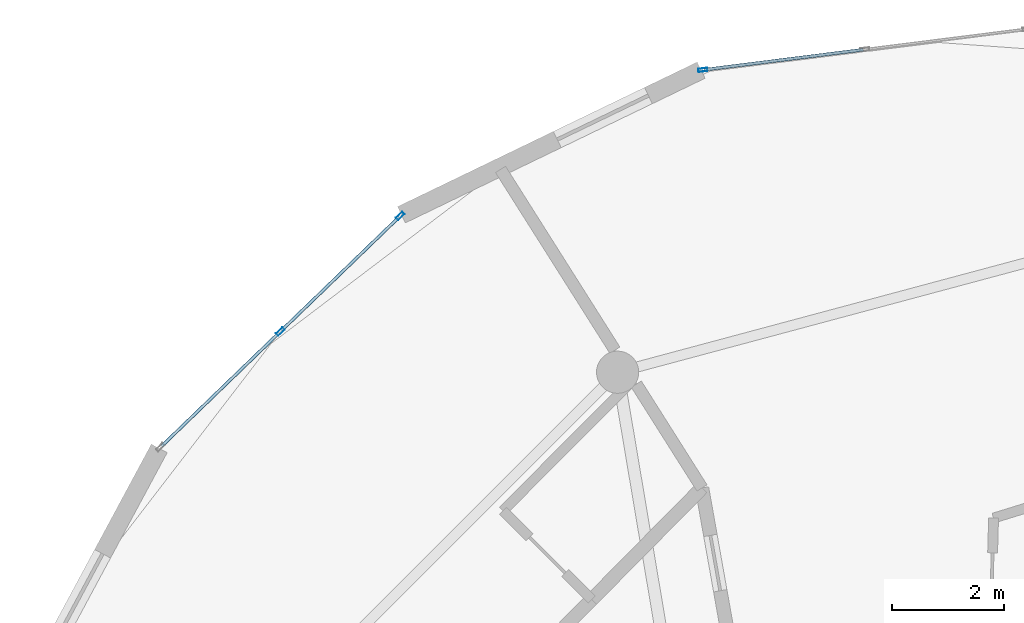
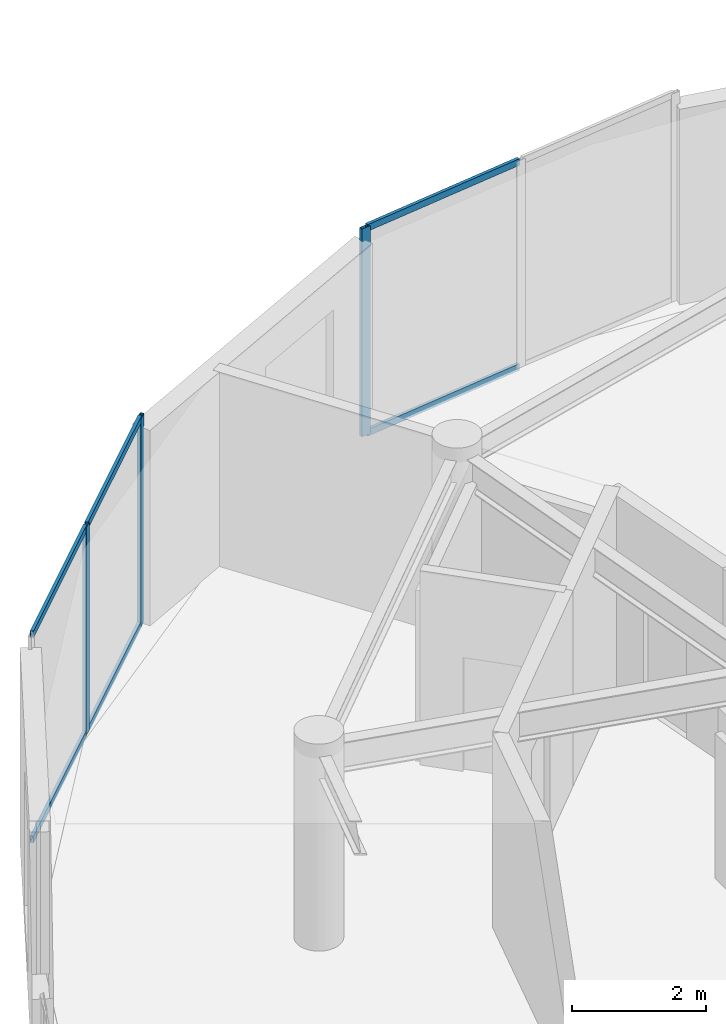
# One storey, part 13 of 23: 9 members, 2 elements without a shape of their own.
"""IFC4 building model written with IfcOpenShell, lengths in metres."""

from ifc_helpers import new_model, si_unit, direction, frame, origin, origin_2d, place, context, subcontext, project, spatial, hollow_rectangle, extrude, source, transform, mapped, material, layer, layer_set, material_profile, profile_set, type_object, element, aggregate, save


model = new_model("IFC4")

# Units and contexts
model_context = context("Model", 3, precision=1e-05, world=origin(), true_north=direction((0.0, 1.0)))
body_context = subcontext(model_context, "Body", "Model", "MODEL_VIEW")
ifc_project = project(units=[si_unit("LENGTHUNIT", "METRE"), si_unit("AREAUNIT", "SQUARE_METRE"), si_unit("VOLUMEUNIT", "CUBIC_METRE"), si_unit("PLANEANGLEUNIT", "RADIAN"), si_unit("MASSUNIT", "GRAM", prefix="KILO")], contexts=[model_context])

# Site, building, storey
site_placement = place(None, origin())
site = spatial("IfcSite", under=ifc_project, at=site_placement, CompositionType="ELEMENT")
building_placement = place(site_placement, origin())
building = spatial("IfcBuilding", under=site, at=building_placement, Name="Solvirekh Grand Hotel", CompositionType="ELEMENT")
storey_placement = place(building_placement, frame((0.0, 0.0, 285.800048828125)))
storey = spatial("IfcBuildingStorey", under=building, at=storey_placement, Name="L74", CompositionType="ELEMENT", Elevation=285.800048828125)

# Curtain wall, member
ifc_material = material(Name="Anodized Bronze Aluminium 6063-T6", Category="aluminium")
ifc_layer = layer(ifc_material, 0.159912109375)
ifc_layer_set = layer_set([ifc_layer], Name="Anodized Bronze Aluminium 6063-T6")
curtain_wall_type = type_object("IfcCurtainWallType", Name="CW_Sys4_HighZoneFlushBronzeCW", PredefinedType="NOTDEFINED", material=ifc_layer_set)
curtain_wall_1_placement = place(storey_placement, origin())
curtain_wall_1 = element("IfcCurtainWall", 1, at=curtain_wall_1_placement, inside=storey, type_object=curtain_wall_type, Name="L74 unitised bronze-glass curtain wall CW-L74-C11", PredefinedType="NOTDEFINED")
ifc_material_profile_1 = material_profile(ifc_material, hollow_rectangle(XDim=0.06005859375, YDim=0.159912109375, WallThickness=0.0048828125, at=origin_2d()), Name="ALU RHS 160X60X5")
ifc_profile_set_1 = profile_set([ifc_material_profile_1], Name="Anodized Bronze Aluminium 6063-T6")
member_type_1 = type_object("IfcMemberType", Name="CWMullion_Sys4", PredefinedType="MULLION", material=ifc_profile_set_1)
shared_shape_1 = source(origin(), body_context, "Body", "SweptSolid", [
    extrude(hollow_rectangle(XDim=0.06005859375, YDim=0.159912109375, WallThickness=0.0048828125, at=origin_2d()), origin(), (0.0, 0.0, 1.0), 3.800048828125),
])
member_1_placement = place(storey_placement, frame((-6.211181640625, 18.754638671875, 0.0), z_axis=(0.0, 0.0, 1.0), x_axis=(0.125166457357, -0.992135755808, 0.0)))
member_1 = element("IfcMember", 2, at=member_1_placement, type_object=member_type_1, Name="U04 mullion 3", PredefinedType="MULLION", context=body_context, shape_type="MappedRepresentation", body=[
    mapped(shared_shape_1, transform((0.0, 0.0, 0.0), x_axis=(1.0, 0.0, 0.0), y_axis=(0.0, 1.0, 0.0), z_axis=(0.0, 0.0, 1.0), scale=1.0)),
])

# Curtain wall, members
curtain_wall_2_placement = place(storey_placement, origin())
curtain_wall_2 = element("IfcCurtainWall", 3, at=curtain_wall_2_placement, inside=storey, type_object=curtain_wall_type, Name="L74 unitised bronze-glass curtain wall CW-L74-C13", PredefinedType="NOTDEFINED")
member_2_placement = place(storey_placement, frame((-11.590576171875, 16.1591796875, 0.0), z_axis=(0.0, 0.0, 1.0), x_axis=(0.694293264644, -0.719692199951, 0.0)))
member_2 = element("IfcMember", 4, at=member_2_placement, type_object=member_type_1, Name="U04 mullion 1", PredefinedType="MULLION", context=body_context, shape_type="MappedRepresentation", body=[
    mapped(shared_shape_1, transform((0.0, 0.0, 0.0), x_axis=(1.0, 0.0, 0.0), y_axis=(0.0, 1.0, 0.0), z_axis=(0.0, 0.0, 1.0), scale=1.0)),
])
member_3_placement = place(storey_placement, frame((-13.722412109375, 14.1025390625, 0.0), z_axis=(0.0, 0.0, 1.0), x_axis=(0.694293264644, -0.719692199951, 0.0)))
member_3 = element("IfcMember", 5, at=member_3_placement, type_object=member_type_1, Name="U04 mullion 2", PredefinedType="MULLION", context=body_context, shape_type="MappedRepresentation", body=[
    mapped(shared_shape_1, transform((0.0, 0.0, 0.0), x_axis=(1.0, 0.0, 0.0), y_axis=(0.0, 1.0, 0.0), z_axis=(0.0, 0.0, 1.0), scale=1.0)),
])
ifc_material_profile_2 = material_profile(ifc_material, hollow_rectangle(XDim=0.054931640625, YDim=0.1201171875, WallThickness=0.00390625, at=origin_2d()), Name="ALU RHS 120X55X4")
ifc_profile_set_2 = profile_set([ifc_material_profile_2], Name="Anodized Bronze Aluminium 6063-T6")
member_type_2 = type_object("IfcMemberType", Name="CWTransom_Sys4", PredefinedType="USERDEFINED", material=ifc_profile_set_2)
shared_shape_2 = source(origin(), body_context, "Body", "SweptSolid", [
    extrude(hollow_rectangle(XDim=0.054931640625, YDim=0.1201171875, WallThickness=0.00390625, at=origin_2d()), origin(), (0.0, 0.0, 1.0), 2.90234375),
])
member_4_placement = place(storey_placement, frame((-11.612060546875, 16.138427734375, 0.02734375), z_axis=(-0.719694171209, -0.694291221267, 0.0), x_axis=(0.694291221267, -0.719694171209, 0.0)))
member_4 = element("IfcMember", 6, at=member_4_placement, type_object=member_type_2, Name="U04 transom 1.1", ObjectType="TRANSOM", PredefinedType="USERDEFINED", context=body_context, shape_type="MappedRepresentation", body=[
    mapped(shared_shape_2, transform((0.0, 0.0, 0.0), x_axis=(1.0, 0.0, 0.0), y_axis=(0.0, 1.0, 0.0), z_axis=(0.0, 0.0, 1.0), scale=1.0)),
])
member_5_placement = place(storey_placement, frame((-11.612060546875, 16.138427734375, 3.7724609375), z_axis=(-0.719694171209, -0.694291221267, 0.0), x_axis=(0.694291221267, -0.719694171209, 0.0)))
member_5 = element("IfcMember", 7, at=member_5_placement, type_object=member_type_2, Name="U04 transom 1.2", ObjectType="TRANSOM", PredefinedType="USERDEFINED", context=body_context, shape_type="MappedRepresentation", body=[
    mapped(shared_shape_2, transform((0.0, 0.0, 0.0), x_axis=(1.0, 0.0, 0.0), y_axis=(0.0, 1.0, 0.0), z_axis=(0.0, 0.0, 1.0), scale=1.0)),
])
member_6_placement = place(storey_placement, frame((-13.744140625, 14.081787109375, 0.02734375), z_axis=(-0.719653620356, -0.694333253351, 0.0), x_axis=(0.694333253351, -0.719653620356, 0.0)))
member_6 = element("IfcMember", 8, at=member_6_placement, type_object=member_type_2, Name="U04 transom 2.1", ObjectType="TRANSOM", PredefinedType="USERDEFINED", context=body_context, shape_type="MappedRepresentation", body=[
    mapped(shared_shape_2, transform((0.0, 0.0, 0.0), x_axis=(1.0, 0.0, 0.0), y_axis=(0.0, 1.0, 0.0), z_axis=(0.0, 0.0, 1.0), scale=1.0)),
])
member_7_placement = place(storey_placement, frame((-13.744140625, 14.081787109375, 3.7724609375), z_axis=(-0.719653620356, -0.694333253351, 0.0), x_axis=(0.694333253351, -0.719653620356, 0.0)))
member_7 = element("IfcMember", 9, at=member_7_placement, type_object=member_type_2, Name="U04 transom 2.2", ObjectType="TRANSOM", PredefinedType="USERDEFINED", context=body_context, shape_type="MappedRepresentation", body=[
    mapped(shared_shape_2, transform((0.0, 0.0, 0.0), x_axis=(1.0, 0.0, 0.0), y_axis=(0.0, 1.0, 0.0), z_axis=(0.0, 0.0, 1.0), scale=1.0)),
])
aggregate(curtain_wall_2, [member_2, member_3, member_4, member_5, member_6, member_7])

# Member
shared_shape_3 = source(origin(), body_context, "Body", "SweptSolid", [
    extrude(hollow_rectangle(XDim=0.054931640625, YDim=0.1201171875, WallThickness=0.00390625, at=origin_2d()), origin(), (0.0, 0.0, 1.0), 2.84619140625),
])
member_8_placement = place(storey_placement, frame((-3.357666015625, 19.11474609375, 0.02734375), z_axis=(-0.992137357428, -0.125153761412, 0.0), x_axis=(0.125153761412, -0.992137357428, 0.0)))
member_8 = element("IfcMember", 10, at=member_8_placement, type_object=member_type_2, Name="U04 transom 2.1", ObjectType="TRANSOM", PredefinedType="USERDEFINED", context=body_context, shape_type="MappedRepresentation", body=[
    mapped(shared_shape_3, transform((0.0, 0.0, 0.0), x_axis=(1.0, 0.0, 0.0), y_axis=(0.0, 1.0, 0.0), z_axis=(0.0, 0.0, 1.0), scale=1.0)),
])

member_9_placement = place(storey_placement, frame((-3.357666015625, 19.11474609375, 3.7724609375), z_axis=(-0.992137357428, -0.125153761412, 0.0), x_axis=(0.125153761412, -0.992137357428, 0.0)))
member_9 = element("IfcMember", 11, at=member_9_placement, type_object=member_type_2, Name="U04 transom 2.2", ObjectType="TRANSOM", PredefinedType="USERDEFINED", context=body_context, shape_type="MappedRepresentation", body=[
    mapped(shared_shape_3, transform((0.0, 0.0, 0.0), x_axis=(1.0, 0.0, 0.0), y_axis=(0.0, 1.0, 0.0), z_axis=(0.0, 0.0, 1.0), scale=1.0)),
])

aggregate(curtain_wall_1, [member_1, member_8, member_9])

save(model, "model.ifc")
